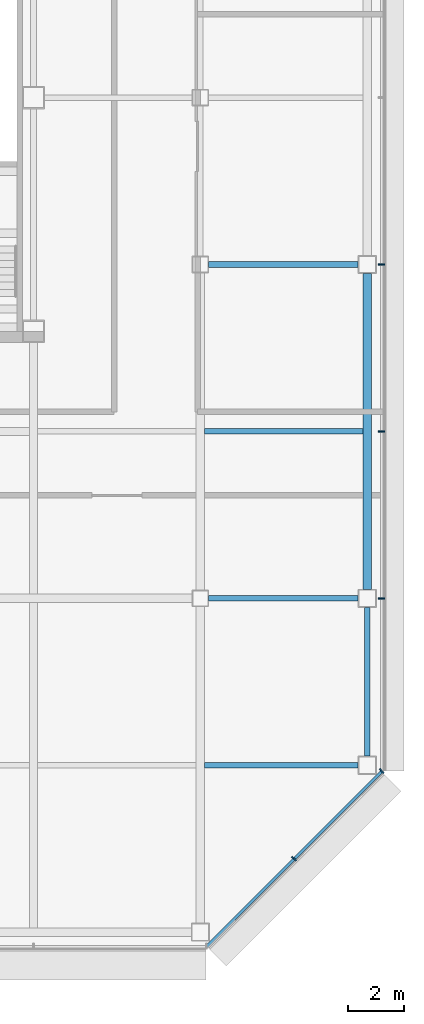
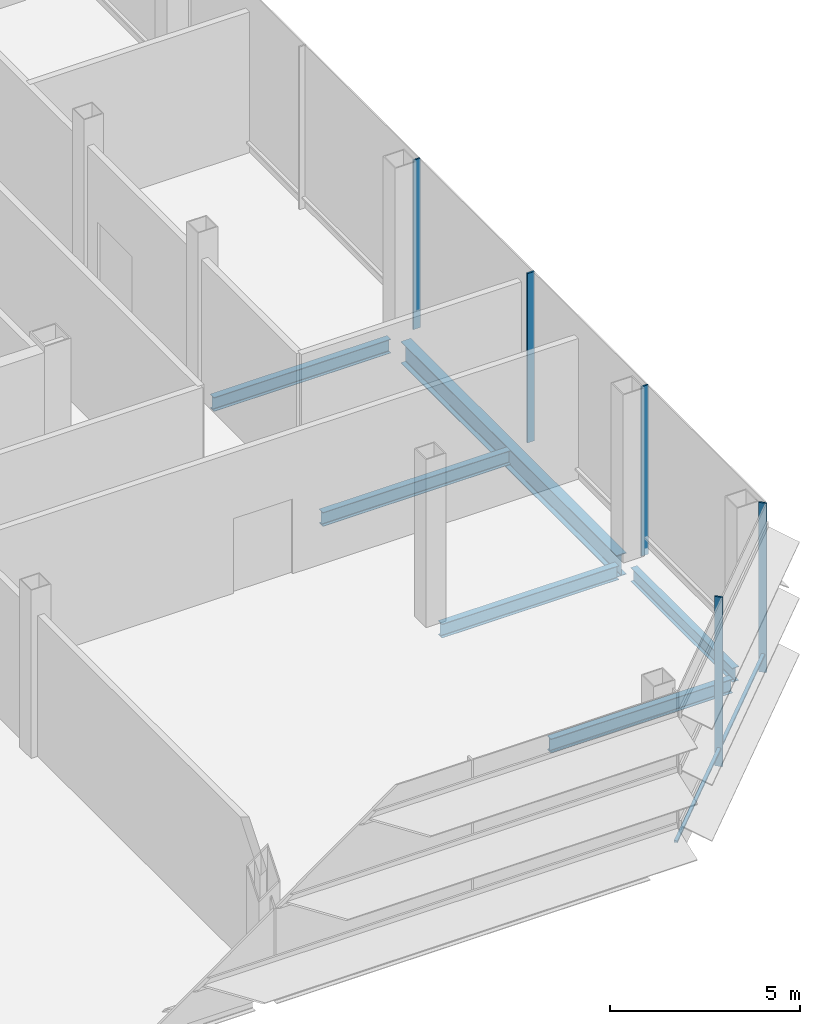
# One storey, part 14 of 25: 6 beams, 6 members, 2 elements without a shape of their own.
"""IFC4 building model written with IfcOpenShell, lengths in metres."""

from ifc_helpers import new_model, si_unit, direction, frame, origin, origin_2d, place, context, subcontext, project, spatial, rectangle, i_section, extrude, material, material_profile, profile_set, type_object, element, aggregate, save


model = new_model("IFC4")

# Units and contexts
model_context = context("Model", 3, precision=1e-05, world=origin(), true_north=direction((0.0, 1.0)))
body_context = subcontext(model_context, "Body", "Model", "MODEL_VIEW")
ifc_project = project(units=[si_unit("LENGTHUNIT", "METRE"), si_unit("AREAUNIT", "SQUARE_METRE"), si_unit("VOLUMEUNIT", "CUBIC_METRE"), si_unit("PLANEANGLEUNIT", "RADIAN"), si_unit("MASSUNIT", "GRAM", prefix="KILO")], contexts=[model_context])

# Site, building, storey
site_placement = place(None, origin())
site = spatial("IfcSite", under=ifc_project, at=site_placement, CompositionType="ELEMENT")
building_placement = place(site_placement, origin())
building = spatial("IfcBuilding", under=site, at=building_placement, Name="Sorahane Residences", CompositionType="ELEMENT")
storey_placement = place(building_placement, frame((0.0, 0.0, 210.0)))
storey = spatial("IfcBuildingStorey", under=building, at=storey_placement, Name="L49", CompositionType="ELEMENT", Elevation=210.0)

# Curtain wall, members
ifc_material_1 = material(Name="Dark low-e glass and black anodised aluminium", Category="aluminium")
curtain_wall_type = type_object("IfcCurtainWallType", Name="Curtain wall CW-4 Sky floor frameless wall", PredefinedType="NOTDEFINED", material=ifc_material_1)
curtain_wall_1_placement = place(storey_placement, origin())
curtain_wall_1 = element("IfcCurtainWall", 1, at=curtain_wall_1_placement, inside=storey, type_object=curtain_wall_type, Name="CW-4 curtain wall L49 SE1", PredefinedType="NOTDEFINED")
ifc_material_2 = material(Name="Black anodised aluminium", Category="aluminium")
ifc_material_profile_1 = material_profile(ifc_material_2, rectangle(XDim=0.219970703125, YDim=0.050048828125, at=origin_2d()), Name="Curtain wall mullion CW-4 black anodised aluminium 50x220")
ifc_profile_set_1 = profile_set([ifc_material_profile_1], Name="Black anodised aluminium")
member_type_1 = type_object("IfcMemberType", Name="Curtain wall mullion CW-4 black anodised aluminium 50x220", PredefinedType="MULLION", material=ifc_profile_set_1)
member_1_placement = place(storey_placement, frame((51.360595703125, 2.639404296875, -0.219970703125), z_axis=(0.0, 0.0, 1.0), x_axis=(0.707106781187, -0.707106781187, 0.0)))
member_1 = element("IfcMember", 2, at=member_1_placement, type_object=member_type_1, Name="CW-4 mullion L49 SE1.2", PredefinedType="MULLION", context=body_context, shape_type="SweptSolid", body=[
    extrude(rectangle(XDim=0.219970703125, YDim=0.050048828125, at=origin_2d()), origin(), (0.0, 0.0, 1.0), 5.43994140625),
])
member_2_placement = place(storey_placement, frame((54.518798828125, 5.79736328125, -0.219970703125), z_axis=(0.0, 0.0, 1.0), x_axis=(0.707106781187, -0.707106781187, 0.0)))
member_2 = element("IfcMember", 3, at=member_2_placement, type_object=member_type_1, Name="CW-4 mullion L49 SE1.3", PredefinedType="MULLION", context=body_context, shape_type="SweptSolid", body=[
    extrude(rectangle(XDim=0.219970703125, YDim=0.050048828125, at=origin_2d()), origin(), (0.0, 0.0, 1.0), 5.43994140625),
])

curtain_wall_2_placement = place(storey_placement, origin())
curtain_wall_2 = element("IfcCurtainWall", 4, at=curtain_wall_2_placement, inside=storey, type_object=curtain_wall_type, Name="CW-4 curtain wall L49 E1", PredefinedType="NOTDEFINED")
member_3_placement = place(storey_placement, frame((54.510009765625, 12.0, -0.219970703125), z_axis=(0.0, 0.0, 1.0), x_axis=(1.0, 0.0, 0.0)))
member_3 = element("IfcMember", 5, at=member_3_placement, type_object=member_type_1, Name="CW-4 mullion L49 E1.2", PredefinedType="MULLION", context=body_context, shape_type="SweptSolid", body=[
    extrude(rectangle(XDim=0.219970703125, YDim=0.050048828125, at=origin_2d()), origin(), (0.0, 0.0, 1.0), 5.43994140625),
])
member_4_placement = place(storey_placement, frame((54.510009765625, 18.0, -0.219970703125), z_axis=(0.0, 0.0, 1.0), x_axis=(1.0, 0.0, 0.0)))
member_4 = element("IfcMember", 6, at=member_4_placement, type_object=member_type_1, Name="CW-4 mullion L49 E1.3", PredefinedType="MULLION", context=body_context, shape_type="SweptSolid", body=[
    extrude(rectangle(XDim=0.219970703125, YDim=0.050048828125, at=origin_2d()), origin(), (0.0, 0.0, 1.0), 5.43994140625),
])
member_5_placement = place(storey_placement, frame((54.510009765625, 24.0, -0.219970703125), z_axis=(0.0, 0.0, 1.0), x_axis=(1.0, 0.0, 0.0)))
member_5 = element("IfcMember", 7, at=member_5_placement, type_object=member_type_1, Name="CW-4 mullion L49 E1.4", PredefinedType="MULLION", context=body_context, shape_type="SweptSolid", body=[
    extrude(rectangle(XDim=0.219970703125, YDim=0.050048828125, at=origin_2d()), origin(), (0.0, 0.0, 1.0), 5.43994140625),
])
aggregate(curtain_wall_2, [member_3, member_4, member_5])

# Member
ifc_material_3 = material(Name="Black anodised aluminium", Category="aluminium")
ifc_material_profile_2 = material_profile(ifc_material_3, rectangle(XDim=0.10009765625, YDim=0.06005859375, at=origin_2d()), Name="Curtain wall transom CW-4 black anodised aluminium 60x100")
ifc_profile_set_2 = profile_set([ifc_material_profile_2], Name="Black anodised aluminium")
member_type_2 = type_object("IfcMemberType", Name="Curtain wall transom CW-4 black anodised aluminium 60x100", PredefinedType="USERDEFINED", material=ifc_profile_set_2)
member_6_placement = place(storey_placement, frame((48.234375, -0.51513671875, 0.35009765625), z_axis=(0.707106781187, 0.707106781187, 0.0), x_axis=(-0.707106781187, 0.707106781187, 0.0)))
member_6 = element("IfcMember", 8, at=member_6_placement, type_object=member_type_2, Name="CW-4 transom L49 SE1", ObjectType="TRANSOM", PredefinedType="USERDEFINED", context=body_context, shape_type="SweptSolid", body=[
    extrude(rectangle(XDim=0.10009765625, YDim=0.06005859375, at=origin_2d()), origin(), (0.0, 0.0, 1.0), 8.88232421875),
])

aggregate(curtain_wall_1, [member_1, member_2, member_6])

# Beams
ifc_material_4 = material(Name="Steel Q355B", Category="steel")
ifc_material_profile_3 = material_profile(ifc_material_4, i_section(OverallWidth=0.199951171875, OverallDepth=0.449951171875, WebThickness=0.009033203125, FlangeThickness=0.013916015625, FilletRadius=0.02001953125, at=origin_2d()), Name="HN 450x200x9x14")
ifc_profile_set_3 = profile_set([ifc_material_profile_3], Name="Steel Q355B")
beam_type_1 = type_object("IfcBeamType", Name="Steel floor beam HN 450x200x9x14 Q355B", PredefinedType="BEAM", material=ifc_profile_set_3)
for number, where, z_axis, x_axis, name in (
    (9, (48.300048828125, 12.0, -0.445068359375), (1.0, 0.0, 0.0), (0.0, 1.0, 0.0), "Beam L49 010"),
    (10, (48.300048828125, 24.0, -0.445068359375), (1.0, 0.0, 0.0), (0.0, 1.0, 0.0), "Beam L49 012"),
):
    element("IfcBeam", number, at=place(storey_placement, frame(where, z_axis=z_axis, x_axis=x_axis)), inside=storey, type_object=beam_type_1, Name=name, PredefinedType="BEAM", context=body_context, shape_type="SweptSolid", body=[
        extrude(i_section(OverallWidth=0.199951171875, OverallDepth=0.449951171875, WebThickness=0.009033203125, FlangeThickness=0.013916015625, FilletRadius=0.02001953125, at=origin_2d()), origin(), (0.0, 0.0, 1.0), 5.375),
    ])
beam_1_placement = place(storey_placement, frame((54.0, 6.324951171875, -0.445068359375), z_axis=(0.0, 1.0, 0.0), x_axis=(-1.0, 0.0, 0.0)))
element("IfcBeam", 11, at=beam_1_placement, inside=storey, type_object=beam_type_1, Name="Beam L49 064", PredefinedType="BEAM", context=body_context, shape_type="SweptSolid", body=[
    extrude(i_section(OverallWidth=0.199951171875, OverallDepth=0.449951171875, WebThickness=0.009033203125, FlangeThickness=0.013916015625, FilletRadius=0.02001953125, at=origin_2d()), origin(), (0.0, 0.0, 1.0), 5.35009765625),
])
beam_2_placement = place(storey_placement, frame((48.14990234375, 6.0, -0.445068359375), z_axis=(1.0, 0.0, 0.0), x_axis=(0.0, 1.0, 0.0)))
element("IfcBeam", 12, at=beam_2_placement, inside=storey, type_object=beam_type_1, Name="Beam L49 077", PredefinedType="BEAM", context=body_context, shape_type="SweptSolid", body=[
    extrude(i_section(OverallWidth=0.199951171875, OverallDepth=0.449951171875, WebThickness=0.009033203125, FlangeThickness=0.013916015625, FilletRadius=0.02001953125, at=origin_2d()), origin(), (0.0, 0.0, 1.0), 5.525146484375),
])
beam_3_placement = place(storey_placement, frame((48.14990234375, 18.0, -0.445068359375), z_axis=(1.0, 0.0, 0.0), x_axis=(0.0, 1.0, 0.0)))
element("IfcBeam", 13, at=beam_3_placement, inside=storey, type_object=beam_type_1, Name="Beam L49 084", PredefinedType="BEAM", context=body_context, shape_type="SweptSolid", body=[
    extrude(i_section(OverallWidth=0.199951171875, OverallDepth=0.449951171875, WebThickness=0.009033203125, FlangeThickness=0.013916015625, FilletRadius=0.02001953125, at=origin_2d()), origin(), (0.0, 0.0, 1.0), 5.7001953125),
])
ifc_material_5 = material(Name="Steel Q355B", Category="steel")
ifc_material_profile_4 = material_profile(ifc_material_5, i_section(OverallWidth=0.300048828125, OverallDepth=0.699951171875, WebThickness=0.012939453125, FlangeThickness=0.02392578125, FilletRadius=0.028076171875, at=origin_2d()), Name="HN 700x300x13x24")
ifc_profile_set_4 = profile_set([ifc_material_profile_4], Name="Steel Q355B")
beam_type_2 = type_object("IfcBeamType", Name="Steel floor beam HN 700x300x13x24 Q355B", PredefinedType="BEAM", material=ifc_profile_set_4)
beam_4_placement = place(storey_placement, frame((54.0, 12.324951171875, -0.570068359375), z_axis=(0.0, 1.0, 0.0), x_axis=(-1.0, 0.0, 0.0)))
element("IfcBeam", 14, at=beam_4_placement, inside=storey, type_object=beam_type_2, Name="Beam L49 065", PredefinedType="BEAM", context=body_context, shape_type="SweptSolid", body=[
    extrude(i_section(OverallWidth=0.300048828125, OverallDepth=0.699951171875, WebThickness=0.012939453125, FlangeThickness=0.02392578125, FilletRadius=0.028076171875, at=origin_2d()), origin(), (0.0, 0.0, 1.0), 11.35009765625),
])

save(model, "model.ifc")
